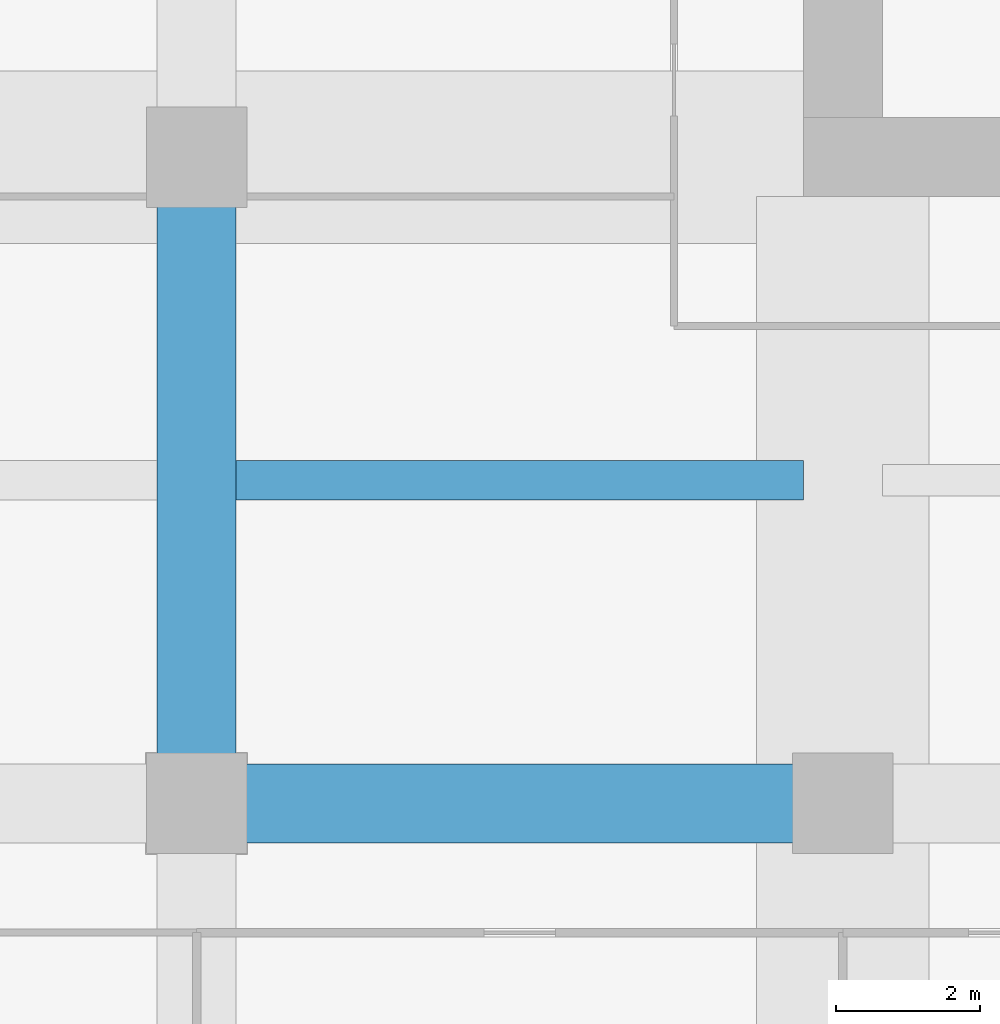
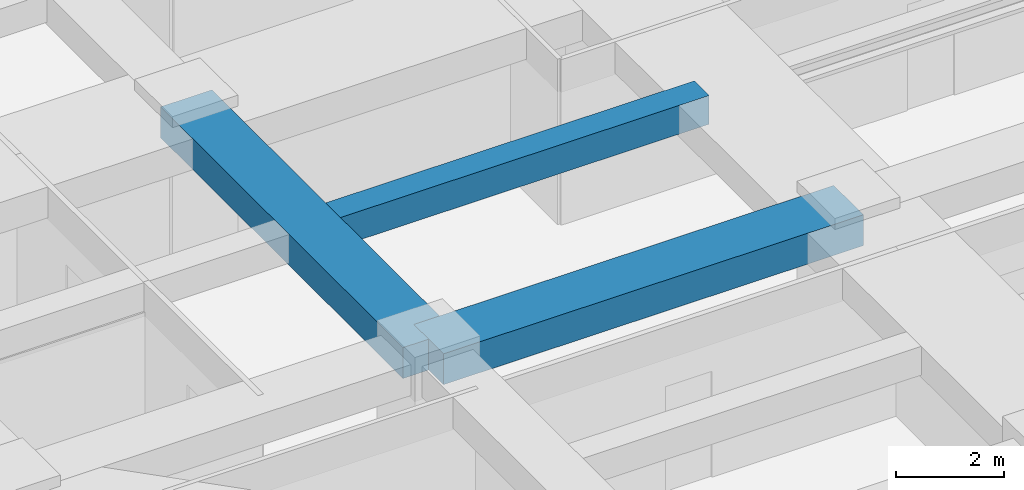
# One storey, part 5 of 35: 3 beams.
"""IFC4 building model written with IfcOpenShell, lengths in metres."""

from ifc_helpers import new_model, si_unit, direction, frame, origin, origin_2d, place, context, subcontext, project, spatial, rectangle, extrude, material, material_profile, profile_set, type_object, element, save


model = new_model("IFC4")

# Units and contexts
model_context = context("Model", 3, precision=1e-05, world=origin(), true_north=direction((0.0, 1.0)))
body_context = subcontext(model_context, "Body", "Model", "MODEL_VIEW")
ifc_project = project(units=[si_unit("LENGTHUNIT", "METRE"), si_unit("AREAUNIT", "SQUARE_METRE"), si_unit("VOLUMEUNIT", "CUBIC_METRE"), si_unit("PLANEANGLEUNIT", "RADIAN"), si_unit("MASSUNIT", "GRAM", prefix="KILO")], contexts=[model_context])

# Site, building, storey
site_placement = place(None, origin())
site = spatial("IfcSite", under=ifc_project, at=site_placement, CompositionType="ELEMENT")
building_placement = place(site_placement, origin())
building = spatial("IfcBuilding", under=site, at=building_placement, Name="Zorevar Civic Tower", CompositionType="ELEMENT")
storey_placement = place(building_placement, frame((0.0, 0.0, 222.199951171875)))
storey = spatial("IfcBuildingStorey", under=building, at=storey_placement, Name="L54", CompositionType="ELEMENT", Elevation=222.199951171875)

# Beams
ifc_material_1 = material(Name="Concrete C50/60", Category="concrete")
ifc_material_profile_1 = material_profile(ifc_material_1, rectangle(XDim=1.10009765625, YDim=0.699951171875, at=origin_2d()), Name="RC 1100x700")
ifc_profile_set_1 = profile_set([ifc_material_profile_1], Name="Concrete C50/60")
beam_type_1 = type_object("IfcBeamType", Name="Beam RC 1100x700", PredefinedType="BEAM", material=ifc_profile_set_1)
for number, where, z_axis, x_axis, name in (
    (1, (9.0, 9.0, 3.400146484375), (1.0, 0.0, 0.0), (0.0, 1.0, 0.0), "Girder L55"),
    (2, (9.0, 9.0, 3.400146484375), (0.0, 1.0, 0.0), (-1.0, 0.0, 0.0), "Girder L55"),
):
    element("IfcBeam", number, at=place(storey_placement, frame(where, z_axis=z_axis, x_axis=x_axis)), inside=storey, type_object=beam_type_1, Name=name, PredefinedType="BEAM", context=body_context, shape_type="SweptSolid", body=[
        extrude(rectangle(XDim=1.10009765625, YDim=0.699951171875, at=origin_2d()), origin(), (0.0, 0.0, 1.0), 9.0),
    ])
ifc_material_2 = material(Name="Concrete C50/60", Category="concrete")
ifc_material_profile_2 = material_profile(ifc_material_2, rectangle(XDim=0.550048828125, YDim=0.64990234375, at=origin_2d()), Name="RC 550x650")
ifc_profile_set_2 = profile_set([ifc_material_profile_2], Name="Concrete C50/60")
beam_type_2 = type_object("IfcBeamType", Name="Beam RC 550x650", PredefinedType="BEAM", material=ifc_profile_set_2)
beam_placement = place(storey_placement, frame((9.550048828125, 13.5, 3.425048828125), z_axis=(1.0, 0.0, 0.0), x_axis=(0.0, 1.0, 0.0)))
element("IfcBeam", 3, at=beam_placement, inside=storey, type_object=beam_type_2, Name="Secondary beam L55", PredefinedType="BEAM", context=body_context, shape_type="SweptSolid", body=[
    extrude(rectangle(XDim=0.550048828125, YDim=0.64990234375, at=origin_2d()), origin(), (0.0, 0.0, 1.0), 7.89990234375),
])

save(model, "model.ifc")
